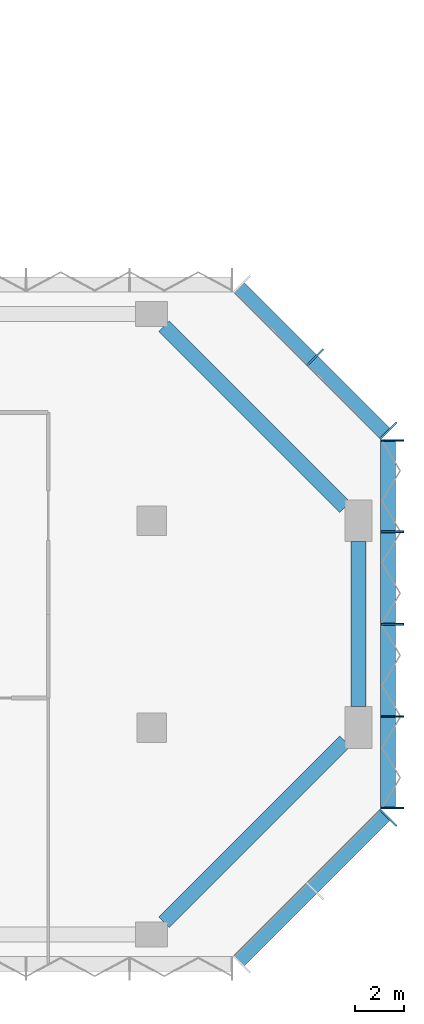
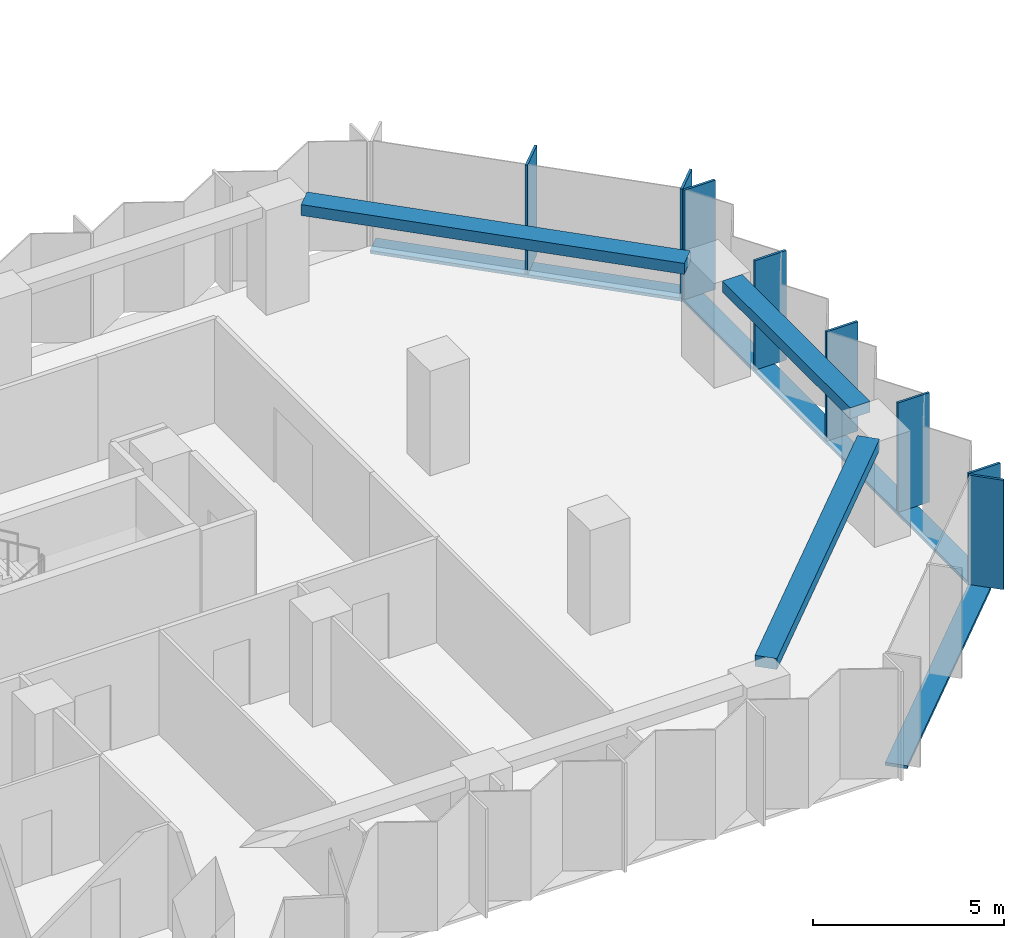
# One storey, part 4 of 13: 11 members, 3 beams, 3 elements without a shape of their own.
"""IFC4 building model written with IfcOpenShell, lengths in metres."""

from ifc_helpers import new_model, si_unit, direction, frame, origin, origin_2d, place, context, subcontext, project, spatial, rectangle, extrude, material, material_profile, profile_set, type_object, element, aggregate, save


model = new_model("IFC4")

# Units and contexts
model_context = context("Model", 3, precision=1e-05, world=origin(), true_north=direction((0.0, 1.0)))
body_context = subcontext(model_context, "Body", "Model", "MODEL_VIEW")
ifc_project = project(units=[si_unit("LENGTHUNIT", "METRE"), si_unit("AREAUNIT", "SQUARE_METRE"), si_unit("VOLUMEUNIT", "CUBIC_METRE"), si_unit("PLANEANGLEUNIT", "RADIAN"), si_unit("MASSUNIT", "GRAM", prefix="KILO")], contexts=[model_context])

# Site, building, storey
site_placement = place(None, origin())
site = spatial("IfcSite", under=ifc_project, at=site_placement, CompositionType="ELEMENT")
building_placement = place(site_placement, origin())
building = spatial("IfcBuilding", under=site, at=building_placement, Name="Brevane Broadcast Tower", CompositionType="ELEMENT")
storey_placement = place(building_placement, frame((0.0, 0.0, 106.10009765625)))
storey = spatial("IfcBuildingStorey", under=building, at=storey_placement, Name="L25", CompositionType="ELEMENT", Elevation=106.10009765625)

# Curtain wall, member
ifc_material_1 = material(Name="Aluminium 6063-T6 bronze anodised", Category="aluminium")
curtain_wall_type = type_object("IfcCurtainWallType", Name="CW-1 curtain wall", PredefinedType="NOTDEFINED", material=ifc_material_1)
curtain_wall_1_placement = place(storey_placement, origin())
curtain_wall_1 = element("IfcCurtainWall", 1, at=curtain_wall_1_placement, inside=storey, type_object=curtain_wall_type, Name="CW-1 typical tilted unit L25 south-east chamfer", PredefinedType="NOTDEFINED")
ifc_material_profile_1 = material_profile(ifc_material_1, rectangle(XDim=0.949951171875, YDim=0.070068359375, at=origin_2d()), Name="RECT 70x950")
ifc_profile_set_1 = profile_set([ifc_material_profile_1], Name="Aluminium 6063-T6 bronze anodised")
member_type_1 = type_object("IfcMemberType", Name="CW-1 mullion 70x950", PredefinedType="MULLION", material=ifc_profile_set_1)
member_1_placement = place(storey_placement, frame((68.4111328125, 4.7392578125, -0.150146484375), z_axis=(0.0, 0.0, 1.0), x_axis=(-0.707106781187, 0.707106781187, 0.0)))
member_1 = element("IfcMember", 2, at=member_1_placement, type_object=member_type_1, Name="CW-1 mullion", PredefinedType="MULLION", context=body_context, shape_type="SweptSolid", body=[
    extrude(rectangle(XDim=0.949951171875, YDim=0.070068359375, at=origin_2d()), origin(), (0.0, 0.0, 1.0), 3.5),
])

# Curtain wall, members
curtain_wall_2_placement = place(storey_placement, origin())
curtain_wall_2 = element("IfcCurtainWall", 3, at=curtain_wall_2_placement, inside=storey, type_object=curtain_wall_type, Name="CW-1 typical tilted unit L25 east end", PredefinedType="NOTDEFINED")
member_2_placement = place(storey_placement, frame((68.574951171875, 5.135009765625, -0.150146484375), z_axis=(0.0, 0.0, 1.0), x_axis=(-1.0, 0.0, 0.0)))
member_2 = element("IfcMember", 4, at=member_2_placement, type_object=member_type_1, Name="CW-1 mullion", PredefinedType="MULLION", context=body_context, shape_type="SweptSolid", body=[
    extrude(rectangle(XDim=0.949951171875, YDim=0.070068359375, at=origin_2d()), origin(), (0.0, 0.0, 1.0), 3.5),
])
member_3_placement = place(storey_placement, frame((68.574951171875, 8.85009765625, -0.150146484375), z_axis=(0.0, 0.0, 1.0), x_axis=(-1.0, 0.0, 0.0)))
member_3 = element("IfcMember", 5, at=member_3_placement, type_object=member_type_1, Name="CW-1 mullion", PredefinedType="MULLION", context=body_context, shape_type="SweptSolid", body=[
    extrude(rectangle(XDim=0.949951171875, YDim=0.070068359375, at=origin_2d()), origin(), (0.0, 0.0, 1.0), 3.5),
])
member_4_placement = place(storey_placement, frame((68.574951171875, 12.60009765625, -0.150146484375), z_axis=(0.0, 0.0, 1.0), x_axis=(-1.0, 0.0, 0.0)))
member_4 = element("IfcMember", 6, at=member_4_placement, type_object=member_type_1, Name="CW-1 mullion", PredefinedType="MULLION", context=body_context, shape_type="SweptSolid", body=[
    extrude(rectangle(XDim=0.949951171875, YDim=0.070068359375, at=origin_2d()), origin(), (0.0, 0.0, 1.0), 3.5),
])
member_5_placement = place(storey_placement, frame((68.574951171875, 16.35009765625, -0.150146484375), z_axis=(0.0, 0.0, 1.0), x_axis=(-1.0, 0.0, 0.0)))
member_5 = element("IfcMember", 7, at=member_5_placement, type_object=member_type_1, Name="CW-1 mullion", PredefinedType="MULLION", context=body_context, shape_type="SweptSolid", body=[
    extrude(rectangle(XDim=0.949951171875, YDim=0.070068359375, at=origin_2d()), origin(), (0.0, 0.0, 1.0), 3.5),
])
member_6_placement = place(storey_placement, frame((68.574951171875, 20.06494140625, -0.150146484375), z_axis=(0.0, 0.0, 1.0), x_axis=(-1.0, 0.0, 0.0)))
member_6 = element("IfcMember", 8, at=member_6_placement, type_object=member_type_1, Name="CW-1 mullion", PredefinedType="MULLION", context=body_context, shape_type="SweptSolid", body=[
    extrude(rectangle(XDim=0.949951171875, YDim=0.070068359375, at=origin_2d()), origin(), (0.0, 0.0, 1.0), 3.5),
])

curtain_wall_3_placement = place(storey_placement, origin())
curtain_wall_3 = element("IfcCurtainWall", 9, at=curtain_wall_3_placement, inside=storey, type_object=curtain_wall_type, Name="CW-1 typical tilted unit L25 north-east chamfer", PredefinedType="NOTDEFINED")
member_7_placement = place(storey_placement, frame((68.4111328125, 20.460693359375, -0.150146484375), z_axis=(0.0, 0.0, 1.0), x_axis=(-0.707106781187, -0.707106781187, 0.0)))
member_7 = element("IfcMember", 10, at=member_7_placement, type_object=member_type_1, Name="CW-1 mullion", PredefinedType="MULLION", context=body_context, shape_type="SweptSolid", body=[
    extrude(rectangle(XDim=0.949951171875, YDim=0.070068359375, at=origin_2d()), origin(), (0.0, 0.0, 1.0), 3.5),
])
member_8_placement = place(storey_placement, frame((65.435791015625, 23.435791015625, -0.150146484375), z_axis=(0.0, 0.0, 1.0), x_axis=(-0.707106781187, -0.707106781187, 0.0)))
member_8 = element("IfcMember", 11, at=member_8_placement, type_object=member_type_1, Name="CW-1 mullion", PredefinedType="MULLION", context=body_context, shape_type="SweptSolid", body=[
    extrude(rectangle(XDim=0.949951171875, YDim=0.070068359375, at=origin_2d()), origin(), (0.0, 0.0, 1.0), 3.5),
])

# Member
ifc_material_profile_2 = material_profile(ifc_material_1, rectangle(XDim=0.60009765625, YDim=0.10009765625, at=origin_2d()), Name="RECT 100x600")
ifc_profile_set_2 = profile_set([ifc_material_profile_2], Name="Aluminium 6063-T6 bronze anodised")
member_type_2 = type_object("IfcMemberType", Name="CW-1 transom 100x600", PredefinedType="USERDEFINED", material=ifc_profile_set_2)
member_9_placement = place(storey_placement, frame((62.31201171875, -1.112060546875, -0.2001953125), z_axis=(0.707106781187, 0.707106781187, 0.0), x_axis=(-0.707106781187, 0.707106781187, 0.0)))
member_9 = element("IfcMember", 12, at=member_9_placement, type_object=member_type_2, Name="CW-1 transom", ObjectType="TRANSOM", PredefinedType="USERDEFINED", context=body_context, shape_type="SweptSolid", body=[
    extrude(rectangle(XDim=0.60009765625, YDim=0.10009765625, at=origin_2d()), origin(), (0.0, 0.0, 1.0), 8.4853515625),
])

aggregate(curtain_wall_1, [member_1, member_9])

member_10_placement = place(storey_placement, frame((68.39990234375, 5.10009765625, -0.2001953125), z_axis=(0.0, 1.0, 0.0), x_axis=(-1.0, 0.0, 0.0)))
member_10 = element("IfcMember", 13, at=member_10_placement, type_object=member_type_2, Name="CW-1 transom", ObjectType="TRANSOM", PredefinedType="USERDEFINED", context=body_context, shape_type="SweptSolid", body=[
    extrude(rectangle(XDim=0.60009765625, YDim=0.10009765625, at=origin_2d()), origin(), (0.0, 0.0, 1.0), 15.0),
])

aggregate(curtain_wall_2, [member_2, member_3, member_4, member_5, member_6, member_10])

member_11_placement = place(storey_placement, frame((68.31201171875, 20.31201171875, -0.2001953125), z_axis=(-0.707106781187, 0.707106781187, 0.0), x_axis=(-0.707106781187, -0.707106781187, 0.0)))
member_11 = element("IfcMember", 14, at=member_11_placement, type_object=member_type_2, Name="CW-1 transom", ObjectType="TRANSOM", PredefinedType="USERDEFINED", context=body_context, shape_type="SweptSolid", body=[
    extrude(rectangle(XDim=0.60009765625, YDim=0.10009765625, at=origin_2d()), origin(), (0.0, 0.0, 1.0), 8.4853515625),
])

aggregate(curtain_wall_3, [member_7, member_8, member_11])

# Beams
ifc_material_2 = material(Name="Concrete C40/50", Category="concrete")
ifc_material_profile_3 = material_profile(ifc_material_2, rectangle(XDim=0.60009765625, YDim=0.35009765625, at=origin_2d()), Name="RC 600x350")
ifc_profile_set_3 = profile_set([ifc_material_profile_3], Name="Concrete C40/50")
beam_type = type_object("IfcBeamType", Name="RC SPANDREL BEAM 600x350 C40/50", PredefinedType="SPANDREL", material=ifc_profile_set_3)
beam_1_placement = place(storey_placement, frame((59.300048828125, 0.5, 3.1748046875), z_axis=(0.707095037275, 0.707118524903, 0.0), x_axis=(-0.707118524903, 0.707095037275, 0.0)))
element("IfcBeam", 15, at=beam_1_placement, inside=storey, type_object=beam_type, Name="EB1 L25-5", PredefinedType="SPANDREL", context=body_context, shape_type="SweptSolid", body=[
    extrude(rectangle(XDim=0.60009765625, YDim=0.35009765625, at=origin_2d()), origin(), (0.0, 0.0, 1.0), 10.39453125),
])
beam_2_placement = place(storey_placement, frame((67.199951171875, 9.25, 3.1748046875), z_axis=(0.0, 1.0, 0.0), x_axis=(-1.0, 0.0, 0.0)))
element("IfcBeam", 16, at=beam_2_placement, inside=storey, type_object=beam_type, Name="EB1 L25-6", PredefinedType="SPANDREL", context=body_context, shape_type="SweptSolid", body=[
    extrude(rectangle(XDim=0.60009765625, YDim=0.35009765625, at=origin_2d()), origin(), (0.0, 0.0, 1.0), 6.699951171875),
])
beam_3_placement = place(storey_placement, frame((66.64990234375, 17.35009765625, 3.1748046875), z_axis=(-0.707106781187, 0.707106781187, 0.0), x_axis=(-0.707106781187, -0.707106781187, 0.0)))
element("IfcBeam", 17, at=beam_3_placement, inside=storey, type_object=beam_type, Name="EB1 L25-7", PredefinedType="SPANDREL", context=body_context, shape_type="SweptSolid", body=[
    extrude(rectangle(XDim=0.60009765625, YDim=0.35009765625, at=origin_2d()), origin(), (0.0, 0.0, 1.0), 10.394287109375),
])

save(model, "model.ifc")
